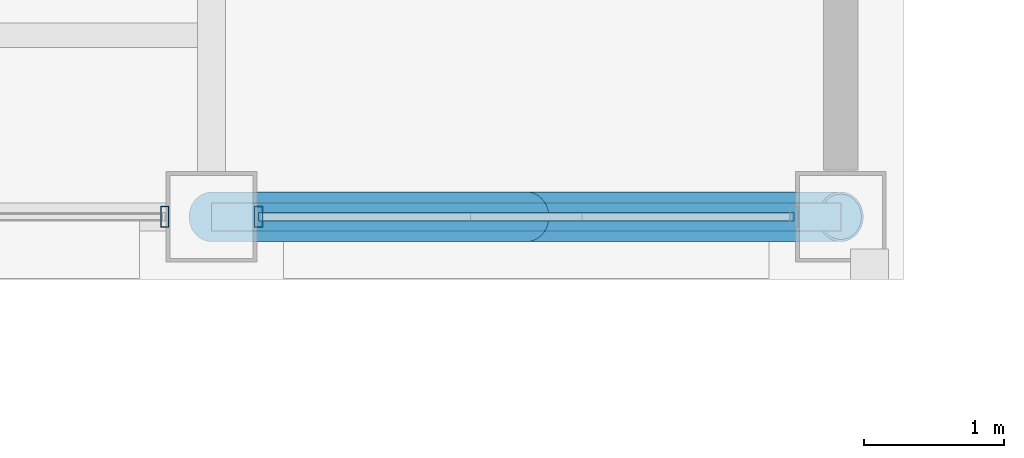
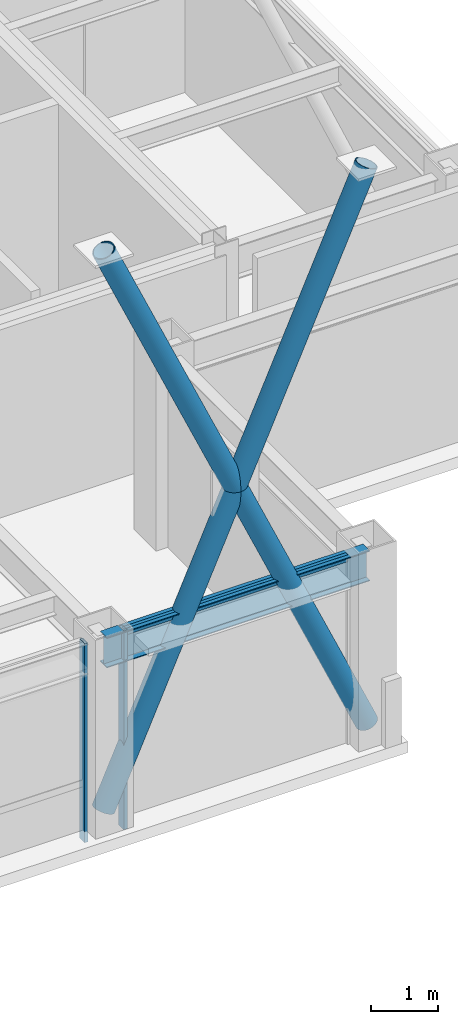
# One storey, part 7 of 26: 6 members, 1 beam, 2 elements without a shape of their own.
"""IFC4 building model written with IfcOpenShell, lengths in metres."""

from ifc_helpers import new_model, si_unit, direction, frame, origin, origin_2d, place, context, subcontext, project, spatial, hollow_rectangle, hollow_circle, i_section, extrude, material, layer, layer_set, material_profile, profile_set, type_object, element, aggregate, save


model = new_model("IFC4")

# Units and contexts
model_context = context("Model", 3, precision=1e-05, world=origin(), true_north=direction((0.0, 1.0)))
body_context = subcontext(model_context, "Body", "Model", "MODEL_VIEW")
ifc_project = project(units=[si_unit("LENGTHUNIT", "METRE"), si_unit("AREAUNIT", "SQUARE_METRE"), si_unit("VOLUMEUNIT", "CUBIC_METRE"), si_unit("PLANEANGLEUNIT", "RADIAN"), si_unit("MASSUNIT", "GRAM", prefix="KILO")], contexts=[model_context])

# Site, building, storey
site_placement = place(None, origin())
site = spatial("IfcSite", under=ifc_project, at=site_placement, CompositionType="ELEMENT")
building_placement = place(site_placement, origin())
building = spatial("IfcBuilding", under=site, at=building_placement, Name="Brelmoor Portico Tower", CompositionType="ELEMENT")
storey_placement = place(building_placement, frame((0.0, 0.0, 247.199951171875)))
storey = spatial("IfcBuildingStorey", under=building, at=storey_placement, Name="L65", CompositionType="ELEMENT", Elevation=247.199951171875)

# Beam
ifc_material_1 = material(Name="Steel Q355B", Category="steel")
ifc_material_profile_1 = material_profile(ifc_material_1, i_section(OverallWidth=0.199951171875, OverallDepth=0.550048828125, WebThickness=0.010009765625, FlangeThickness=0.01611328125, at=origin_2d()), Name="HN 550x200x10x16")
ifc_profile_set_1 = profile_set([ifc_material_profile_1], Name="Steel Q355B")
beam_type = type_object("IfcBeamType", Name="BM-SP-550", PredefinedType="SPANDREL", material=ifc_profile_set_1)
beam_placement = place(storey_placement, frame((8.050048828125, -17.550048828125, 3.125), z_axis=(1.0, 0.0, 0.0), x_axis=(0.0, 1.0, 0.0)))
element("IfcBeam", 1, at=beam_placement, inside=storey, type_object=beam_type, Name="L65 Perimeter Spandrel Beam SP-03", PredefinedType="SPANDREL", context=body_context, shape_type="SweptSolid", body=[
    extrude(i_section(OverallWidth=0.199951171875, OverallDepth=0.550048828125, WebThickness=0.010009765625, FlangeThickness=0.01611328125, at=origin_2d()), origin(), (0.0, 0.0, 1.0), 4.5),
])

# Members
ifc_material_profile_2 = material_profile(ifc_material_1, hollow_circle(Radius=0.177978515625, WallThickness=0.01611328125, at=origin_2d()), Name="CHS 356x16")
ifc_profile_set_2 = profile_set([ifc_material_profile_2], Name="Steel Q355B")
member_type_1 = type_object("IfcMemberType", Name="MB-BELT-DIAG2", PredefinedType="BRACE", material=ifc_profile_set_2)
member_1_placement = place(storey_placement, frame((8.050048828125, -17.550048828125, 0.25), z_axis=(0.406974140277, 0.0, 0.913439680081), x_axis=(0.0, 1.0, 0.0)))
element("IfcMember", 2, at=member_1_placement, inside=storey, type_object=member_type_1, Name="L65 Continuous Mega-X Brace 145A", PredefinedType="BRACE", context=body_context, shape_type="SweptSolid", body=[
    extrude(hollow_circle(Radius=0.177978515625, WallThickness=0.01611328125, at=origin_2d()), origin(), (0.0, 0.0, 1.0), 11.05712890625),
])
for number, where, z_axis, x_axis, name in (
    (3, (12.550048828125, -17.550048828125, 0.25), (-0.406974140277, 0.0, 0.913439680081), (0.0, -1.0, 0.0), "L65 Split Mega-X Brace 145B1"),
    (4, (10.300048828125, -17.550048828125, 5.300048828125), (-0.406974140277, 0.0, 0.913439680081), (0.0, -1.0, 0.0), "L65 Split Mega-X Brace 145B2"),
):
    element("IfcMember", number, at=place(storey_placement, frame(where, z_axis=z_axis, x_axis=x_axis)), inside=storey, type_object=member_type_1, Name=name, PredefinedType="BRACE", context=body_context, shape_type="SweptSolid", body=[
        extrude(hollow_circle(Radius=0.177978515625, WallThickness=0.01611328125, at=origin_2d()), origin(), (0.0, 0.0, 1.0), 5.528564453125),
    ])

# Curtain wall, member
ifc_material_2 = material(Name="Anodised Aluminium Alloy 6063-T6", Category="aluminium")
ifc_layer_1 = layer(ifc_material_2, 0.179931640625)
ifc_layer_set_1 = layer_set([ifc_layer_1], Name="Anodised Aluminium Alloy 6063-T6")
curtain_wall_type_1 = type_object("IfcCurtainWallType", Name="CW-TOWER-Z4", PredefinedType="NOTDEFINED", material=ifc_layer_set_1)
curtain_wall_1_placement = place(storey_placement, origin())
curtain_wall_1 = element("IfcCurtainWall", 5, at=curtain_wall_1_placement, inside=storey, type_object=curtain_wall_type_1, Name="L65 Curtain Wall CW-L65-1R-1", PredefinedType="NOTDEFINED")
ifc_material_profile_3 = material_profile(ifc_material_2, hollow_rectangle(XDim=0.06005859375, YDim=0.14990234375, WallThickness=0.00390625, at=origin_2d()), Name="ALU MULLION 60x150")
ifc_profile_set_3 = profile_set([ifc_material_profile_3], Name="Anodised Aluminium Alloy 6063-T6")
member_type_2 = type_object("IfcMemberType", Name="MB-CW-MULL-150", PredefinedType="MULLION", material=ifc_profile_set_3)
member_2_placement = place(storey_placement, frame((7.715087890625, -17.550048828125, -0.199951171875), z_axis=(0.0, 0.0, 1.0), x_axis=(1.0, 0.0, 0.0)))
member_2 = element("IfcMember", 6, at=member_2_placement, type_object=member_type_2, Name="CW-L65-1R-1 Mullion 01", PredefinedType="MULLION", context=body_context, shape_type="SweptSolid", body=[
    extrude(hollow_rectangle(XDim=0.06005859375, YDim=0.14990234375, WallThickness=0.00390625, at=origin_2d()), origin(), (0.0, 0.0, 1.0), 3.60009765625),
])
aggregate(curtain_wall_1, [member_2])

# Curtain wall, members
ifc_layer_2 = layer(ifc_material_2, 0.179931640625)
ifc_layer_set_2 = layer_set([ifc_layer_2], Name="Anodised Aluminium Alloy 6063-T6")
curtain_wall_type_2 = type_object("IfcCurtainWallType", Name="CW-TOWER-Z4-XB", PredefinedType="NOTDEFINED", material=ifc_layer_set_2)
curtain_wall_2_placement = place(storey_placement, origin())
curtain_wall_2 = element("IfcCurtainWall", 7, at=curtain_wall_2_placement, inside=storey, type_object=curtain_wall_type_2, Name="L65 Curtain Wall CW-L65-1R-2", PredefinedType="NOTDEFINED")
member_3_placement = place(storey_placement, frame((8.385009765625, -17.550048828125, -0.199951171875), z_axis=(0.0, 0.0, 1.0), x_axis=(1.0, 0.0, 0.0)))
member_3 = element("IfcMember", 8, at=member_3_placement, type_object=member_type_2, Name="CW-L65-1R-2 Mullion 00", PredefinedType="MULLION", context=body_context, shape_type="SweptSolid", body=[
    extrude(hollow_rectangle(XDim=0.06005859375, YDim=0.14990234375, WallThickness=0.00390625, at=origin_2d()), origin(), (0.0, 0.0, 1.0), 3.60009765625),
])
ifc_material_profile_4 = material_profile(ifc_material_2, hollow_rectangle(XDim=0.06005859375, YDim=0.125, WallThickness=0.00341796875, at=origin_2d()), Name="ALU TRANSOM 60x125")
ifc_profile_set_4 = profile_set([ifc_material_profile_4], Name="Anodised Aluminium Alloy 6063-T6")
member_type_3 = type_object("IfcMemberType", Name="MB-CW-TRAN-125", PredefinedType="USERDEFINED", material=ifc_profile_set_4)
member_4_placement = place(storey_placement, frame((8.385009765625, -17.550048828125, 3.337646484375), z_axis=(1.0, 0.0, 0.0), x_axis=(0.0, 1.0, 0.0)))
member_4 = element("IfcMember", 9, at=member_4_placement, type_object=member_type_3, Name="CW-L65-1R-2 Transom 1-00", ObjectType="TRANSOM", PredefinedType="USERDEFINED", context=body_context, shape_type="SweptSolid", body=[
    extrude(hollow_rectangle(XDim=0.06005859375, YDim=0.125, WallThickness=0.00341796875, at=origin_2d()), origin(), (0.0, 0.0, 1.0), 3.830078125),
])
aggregate(curtain_wall_2, [member_3, member_4])

save(model, "model.ifc")
